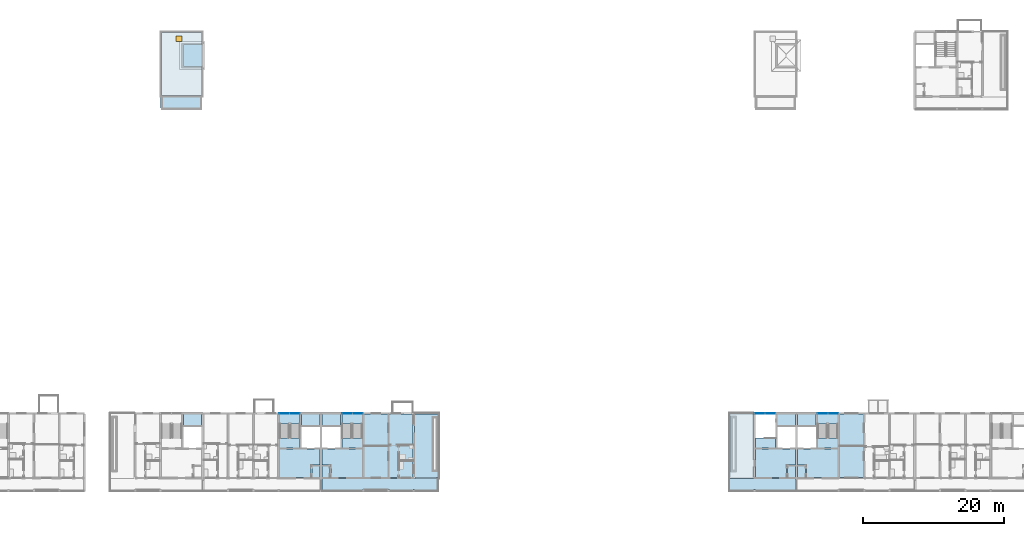
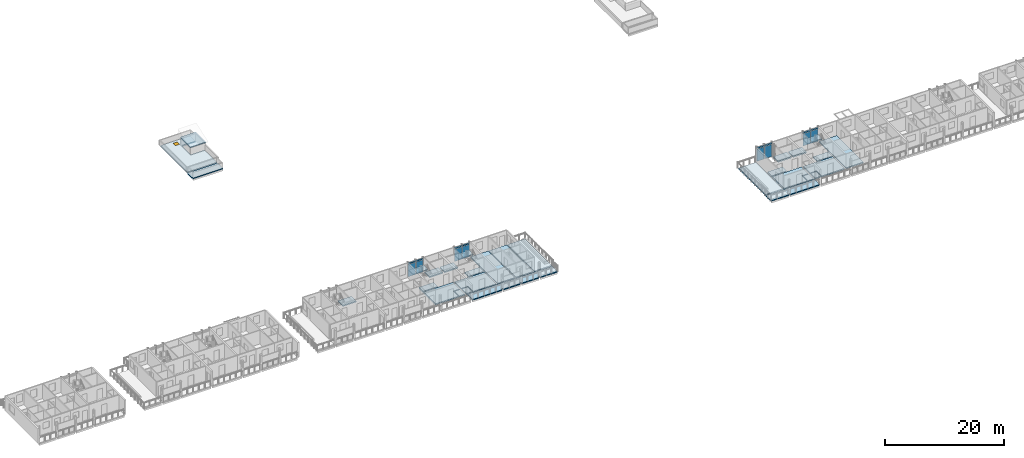
# One storey, part 20 of 64: 30 slabs, 16 plates, 1 door, 1 opening, 7 elements without a shape of their own.
"""IFC4 building model written with IfcOpenShell, lengths in metres."""

from ifc_helpers import new_model, si_unit, direction, frame, origin, origin_2d, place, context, subcontext, project, spatial, polyline, rectangle, outline, extrude, material, layer, layer_set, type_object, element, fill, aggregate, save


model = new_model("IFC4")

# Units and contexts
model_context = context("Model", 3, precision=1e-05, world=origin(), true_north=direction((0.0, 1.0)))
body_context = subcontext(model_context, "Body", "Model", "MODEL_VIEW")
ifc_project = project(units=[si_unit("LENGTHUNIT", "METRE"), si_unit("AREAUNIT", "SQUARE_METRE"), si_unit("VOLUMEUNIT", "CUBIC_METRE"), si_unit("PLANEANGLEUNIT", "RADIAN"), si_unit("MASSUNIT", "GRAM", prefix="KILO")], contexts=[model_context])

# Site, building, storey
site_placement = place(None, origin())
site = spatial("IfcSite", under=ifc_project, at=site_placement, CompositionType="ELEMENT")
building_placement = place(site_placement, origin())
building = spatial("IfcBuilding", under=site, at=building_placement, Name="Ridgestep Commons", CompositionType="ELEMENT")
storey_placement = place(building_placement, frame((0.0, 0.0, 33.0)))
storey = spatial("IfcBuildingStorey", under=building, at=storey_placement, Name="L11", CompositionType="ELEMENT", Elevation=33.0)

# Slabs
ifc_material_1 = material(Name="Precast concrete C40/50", Category="concrete")
ifc_layer_1 = layer(ifc_material_1, 0.199951171875)
ifc_layer_set_1 = layer_set([ifc_layer_1], Name="Gallery roof slab 200")
slab_type_1 = type_object("IfcSlabType", Name="Gallery roof slab 200", PredefinedType="ROOF", material=ifc_layer_set_1)
slab_1_placement = place(storey_placement, frame((0.0, 0.0, -0.199951171875)))
element("IfcSlab", 1, at=slab_1_placement, inside=storey, type_object=slab_type_1, Name="Gallery slab B4 L11", PredefinedType="ROOF", context=body_context, shape_type="SweptSolid", body=[
    extrude(outline(polyline([(73.199951171875, 67.800048828125), (73.199951171875, 66.25), (73.324951171875, 66.25), (73.324951171875, 66.0), (79.050048828125, 66.0), (79.050048828125, 67.800048828125), (73.199951171875, 67.800048828125)])), origin(), (0.0, 0.0, 1.0), 0.199951171875),
])
ifc_material_2 = material(Name="Precast concrete C40/50", Category="concrete")
ifc_layer_2 = layer(ifc_material_2, 0.199951171875)
ifc_layer_set_2 = layer_set([ifc_layer_2], Name="Gallery slab 200")
slab_type_2 = type_object("IfcSlabType", Name="Gallery slab 200", PredefinedType="FLOOR", material=ifc_layer_set_2)
slab_2_placement = place(storey_placement, frame((0.0, 0.0, -0.199951171875)))
element("IfcSlab", 2, at=slab_2_placement, inside=storey, type_object=slab_type_2, Name="Gallery slab A6 L11", PredefinedType="FLOOR", context=body_context, shape_type="SweptSolid", body=[
    extrude(outline(polyline([(112.64990234375, 13.550048828125), (96.14990234375, 13.550048828125), (96.14990234375, 11.75), (101.875, 11.75), (101.875, 12.0), (102.125, 12.0), (102.125, 11.75), (105.47509765625, 11.75), (105.47509765625, 12.0), (105.72509765625, 12.0), (105.72509765625, 11.75), (109.074951171875, 11.75), (109.074951171875, 12.0), (109.324951171875, 12.0), (109.324951171875, 11.75), (112.64990234375, 11.75), (112.64990234375, 13.550048828125)])), origin(), (0.0, 0.0, 1.0), 0.199951171875),
])
slab_3_placement = place(storey_placement, frame((0.0, 0.0, -0.199951171875)))
element("IfcSlab", 3, at=slab_3_placement, inside=storey, type_object=slab_type_2, Name="Gallery slab D1 L11", PredefinedType="FLOOR", context=body_context, shape_type="SweptSolid", body=[
    extrude(outline(polyline([(163.449951171875, 13.550048828125), (154.0, 13.550048828125), (154.0, 12.0), (154.125, 12.0), (154.125, 11.75), (157.47509765625, 11.75), (157.47509765625, 12.0), (157.72509765625, 12.0), (157.72509765625, 11.75), (163.449951171875, 11.75), (163.449951171875, 13.550048828125)])), origin(), (0.0, 0.0, 1.0), 0.199951171875),
])

# Curtain wall, plates
ifc_material_3 = material(Name="Aluminium 6063-T6 and glass", Category="aluminium")
curtain_wall_type = type_object("IfcCurtainWallType", Name="Curtain wall stair strip", PredefinedType="NOTDEFINED", material=ifc_material_3)
curtain_wall_1_placement = place(storey_placement, origin())
curtain_wall_1 = element("IfcCurtainWall", 4, at=curtain_wall_1_placement, inside=storey, type_object=curtain_wall_type, Name="Curtain wall A5C level 11", PredefinedType="NOTDEFINED")
ifc_material_4 = material(Name="Glass laminated 6/16/6 low-emissivity", Category="glass")
ifc_layer_3 = layer(ifc_material_4, 0.028076171875)
ifc_layer_set_3 = layer_set([ifc_layer_3], Name="Glazing panel 28")
plate_type_1 = type_object("IfcPlateType", Name="Glazing panel 28", PredefinedType="CURTAIN_PANEL", material=ifc_layer_set_3)
plate_1_placement = place(storey_placement, frame((90.771240234375, 22.830078125, 0.06005859375), z_axis=(0.0, 0.0, 1.0), x_axis=(1.0, 0.0, 0.0)))
plate_1 = element("IfcPlate", 5, at=plate_1_placement, type_object=plate_type_1, Name="CW1 panel 1.1", PredefinedType="CURTAIN_PANEL", context=body_context, shape_type="SweptSolid", body=[
    extrude(rectangle(XDim=1.422607421875, YDim=0.028076171875, at=origin_2d()), origin(), (0.0, 0.0, 1.0), 2.5),
])
plate_2_placement = place(storey_placement, frame((92.253662109375, 22.830078125, 0.06005859375), z_axis=(0.0, 0.0, 1.0), x_axis=(1.0, 0.0, 0.0)))
plate_2 = element("IfcPlate", 6, at=plate_2_placement, type_object=plate_type_1, Name="CW1 panel 2.1", PredefinedType="CURTAIN_PANEL", context=body_context, shape_type="SweptSolid", body=[
    extrude(rectangle(XDim=1.422607421875, YDim=0.028076171875, at=origin_2d()), origin(), (0.0, 0.0, 1.0), 2.5),
])

curtain_wall_2_placement = place(storey_placement, origin())
curtain_wall_2 = element("IfcCurtainWall", 7, at=curtain_wall_2_placement, inside=storey, type_object=curtain_wall_type, Name="Curtain wall A6C level 11", PredefinedType="NOTDEFINED")
plate_3_placement = place(storey_placement, frame((99.746337890625, 22.830078125, 0.06005859375), z_axis=(0.0, 0.0, 1.0), x_axis=(1.0, 0.0, 0.0)))
plate_3 = element("IfcPlate", 8, at=plate_3_placement, type_object=plate_type_1, Name="CW1 panel 1.1", PredefinedType="CURTAIN_PANEL", context=body_context, shape_type="SweptSolid", body=[
    extrude(rectangle(XDim=1.422607421875, YDim=0.028076171875, at=origin_2d()), origin(), (0.0, 0.0, 1.0), 2.5),
])
plate_4_placement = place(storey_placement, frame((101.228759765625, 22.830078125, 0.06005859375), z_axis=(0.0, 0.0, 1.0), x_axis=(1.0, 0.0, 0.0)))
plate_4 = element("IfcPlate", 9, at=plate_4_placement, type_object=plate_type_1, Name="CW1 panel 2.1", PredefinedType="CURTAIN_PANEL", context=body_context, shape_type="SweptSolid", body=[
    extrude(rectangle(XDim=1.422607421875, YDim=0.028076171875, at=origin_2d()), origin(), (0.0, 0.0, 1.0), 2.5),
])

curtain_wall_3_placement = place(storey_placement, origin())
curtain_wall_3 = element("IfcCurtainWall", 10, at=curtain_wall_3_placement, inside=storey, type_object=curtain_wall_type, Name="Curtain wall D1C level 11", PredefinedType="NOTDEFINED")
plate_5_placement = place(storey_placement, frame((158.371337890625, 22.830078125, 0.06005859375), z_axis=(0.0, 0.0, 1.0), x_axis=(1.0, 0.0, 0.0)))
plate_5 = element("IfcPlate", 11, at=plate_5_placement, type_object=plate_type_1, Name="CW1 panel 1.1", PredefinedType="CURTAIN_PANEL", context=body_context, shape_type="SweptSolid", body=[
    extrude(rectangle(XDim=1.422607421875, YDim=0.028076171875, at=origin_2d()), origin(), (0.0, 0.0, 1.0), 2.5),
])
plate_6_placement = place(storey_placement, frame((159.853759765625, 22.830078125, 0.06005859375), z_axis=(0.0, 0.0, 1.0), x_axis=(1.0, 0.0, 0.0)))
plate_6 = element("IfcPlate", 12, at=plate_6_placement, type_object=plate_type_1, Name="CW1 panel 2.1", PredefinedType="CURTAIN_PANEL", context=body_context, shape_type="SweptSolid", body=[
    extrude(rectangle(XDim=1.422607421875, YDim=0.028076171875, at=origin_2d()), origin(), (0.0, 0.0, 1.0), 2.5),
])

curtain_wall_4_placement = place(storey_placement, origin())
curtain_wall_4 = element("IfcCurtainWall", 13, at=curtain_wall_4_placement, inside=storey, type_object=curtain_wall_type, Name="Curtain wall D2C level 11", PredefinedType="NOTDEFINED")
plate_7_placement = place(storey_placement, frame((167.34619140625, 22.830078125, 0.06005859375), z_axis=(0.0, 0.0, 1.0), x_axis=(1.0, 0.0, 0.0)))
plate_7 = element("IfcPlate", 14, at=plate_7_placement, type_object=plate_type_1, Name="CW1 panel 1.1", PredefinedType="CURTAIN_PANEL", context=body_context, shape_type="SweptSolid", body=[
    extrude(rectangle(XDim=1.422607421875, YDim=0.028076171875, at=origin_2d()), origin(), (0.0, 0.0, 1.0), 2.5),
])
plate_8_placement = place(storey_placement, frame((168.828857421875, 22.830078125, 0.06005859375), z_axis=(0.0, 0.0, 1.0), x_axis=(1.0, 0.0, 0.0)))
plate_8 = element("IfcPlate", 15, at=plate_8_placement, type_object=plate_type_1, Name="CW1 panel 2.1", PredefinedType="CURTAIN_PANEL", context=body_context, shape_type="SweptSolid", body=[
    extrude(rectangle(XDim=1.422607421875, YDim=0.028076171875, at=origin_2d()), origin(), (0.0, 0.0, 1.0), 2.5),
])

# Slabs
ifc_material_5 = material(Name="Precast concrete C50/60", Category="concrete")
ifc_layer_4 = layer(ifc_material_5, 0.199951171875)
ifc_layer_set_4 = layer_set([ifc_layer_4], Name="Hollow-core plank 200")
slab_type_3 = type_object("IfcSlabType", Name="Hollow-core plank 200", PredefinedType="FLOOR", material=ifc_layer_set_4)
slab_4_placement = place(storey_placement, frame((0.0, 0.0, -0.199951171875)))
element("IfcSlab", 16, at=slab_4_placement, inside=storey, type_object=slab_type_3, Name="Floor plank A6T3 L11", PredefinedType="FLOOR", context=body_context, shape_type="SweptSolid", body=[
    extrude(outline(polyline([(105.5, 13.75), (105.5, 22.75), (102.125, 22.75), (102.125, 13.75), (105.5, 13.75)])), origin(), (0.0, 0.0, 1.0), 0.199951171875),
])
slab_5_placement = place(storey_placement, frame((0.0, 0.0, -0.199951171875)))
element("IfcSlab", 17, at=slab_5_placement, inside=storey, type_object=slab_type_3, Name="Floor plank A6T2 L11", PredefinedType="FLOOR", context=body_context, shape_type="SweptSolid", body=[
    extrude(outline(polyline([(109.10009765625, 13.75), (109.10009765625, 22.75), (105.699951171875, 22.75), (105.699951171875, 13.75), (109.10009765625, 13.75)])), origin(), (0.0, 0.0, 1.0), 0.199951171875),
])
slab_6_placement = place(storey_placement, frame((0.0, 0.0, -0.199951171875)))
element("IfcSlab", 18, at=slab_6_placement, inside=storey, type_object=slab_type_3, Name="Floor plank D2T3 L11", PredefinedType="FLOOR", context=body_context, shape_type="SweptSolid", body=[
    extrude(outline(polyline([(173.10009765625, 13.75), (173.10009765625, 22.75), (169.72509765625, 22.75), (169.72509765625, 13.75), (173.10009765625, 13.75)])), origin(), (0.0, 0.0, 1.0), 0.199951171875),
])
ifc_material_6 = material(Name="Precast concrete C50/60", Category="concrete")
ifc_layer_5 = layer(ifc_material_6, 0.25)
ifc_layer_set_5 = layer_set([ifc_layer_5], Name="Hollow-core plank 250")
slab_type_4 = type_object("IfcSlabType", Name="Hollow-core plank 250", PredefinedType="FLOOR", material=ifc_layer_set_5)
slab_7_placement = place(storey_placement, frame((0.0, 0.0, -0.25)))
element("IfcSlab", 19, at=slab_7_placement, inside=storey, type_object=slab_type_4, Name="Floor plank A4C L11", PredefinedType="FLOOR", context=body_context, shape_type="SweptSolid", body=[
    extrude(outline(polyline([(79.050048828125, 21.14990234375), (79.050048828125, 22.75), (76.425048828125, 22.75), (76.425048828125, 21.14990234375), (79.050048828125, 21.14990234375)])), origin(), (0.0, 0.0, 1.0), 0.25),
])
slab_8_placement = place(storey_placement, frame((0.0, 0.0, -0.25)))
element("IfcSlab", 20, at=slab_8_placement, inside=storey, type_object=slab_type_4, Name="Floor plank A5C L11", PredefinedType="FLOOR", context=body_context, shape_type="SweptSolid", body=[
    extrude(outline(polyline([(94.719970703125, 15.469970703125), (95.85009765625, 15.469970703125), (95.85009765625, 17.75), (90.125, 17.75), (90.125, 13.75), (94.60009765625, 13.75), (94.60009765625, 15.469970703125), (94.719970703125, 15.469970703125)])), origin(), (0.0, 0.0, 1.0), 0.25),
])
slab_9_placement = place(storey_placement, frame((0.0, 0.0, -0.25)))
element("IfcSlab", 21, at=slab_9_placement, inside=storey, type_object=slab_type_4, Name="Floor plank A5C L11", PredefinedType="FLOOR", context=body_context, shape_type="SweptSolid", body=[
    extrude(outline(polyline([(95.85009765625, 21.14990234375), (95.85009765625, 22.75), (93.22509765625, 22.75), (93.22509765625, 21.14990234375), (95.85009765625, 21.14990234375)])), origin(), (0.0, 0.0, 1.0), 0.25),
])
slab_10_placement = place(storey_placement, frame((0.0, 0.0, -0.25)))
element("IfcSlab", 22, at=slab_10_placement, inside=storey, type_object=slab_type_4, Name="Floor plank A5C L11", PredefinedType="FLOOR", context=body_context, shape_type="SweptSolid", body=[
    extrude(outline(polyline([(93.02490234375, 17.949951171875), (93.02490234375, 19.35009765625), (90.125, 19.35009765625), (90.125, 17.949951171875), (93.02490234375, 17.949951171875)])), origin(), (0.0, 0.0, 1.0), 0.25),
])
slab_11_placement = place(storey_placement, frame((0.0, 0.0, -0.25)))
element("IfcSlab", 23, at=slab_11_placement, inside=storey, type_object=slab_type_4, Name="Floor plank A5C L11", PredefinedType="FLOOR", context=body_context, shape_type="SweptSolid", body=[
    extrude(outline(polyline([(94.719970703125, 13.75), (95.85009765625, 13.75), (95.85009765625, 15.35009765625), (94.719970703125, 15.35009765625), (94.719970703125, 13.75)])), origin(), (0.0, 0.0, 1.0), 0.25),
])
slab_12_placement = place(storey_placement, frame((0.0, 0.0, -0.25)))
element("IfcSlab", 24, at=slab_12_placement, inside=storey, type_object=slab_type_4, Name="Floor plank A6C L11", PredefinedType="FLOOR", context=body_context, shape_type="SweptSolid", body=[
    extrude(outline(polyline([(97.39990234375, 13.75), (101.875, 13.75), (101.875, 17.75), (96.14990234375, 17.75), (96.14990234375, 15.469970703125), (97.280029296875, 15.469970703125), (97.39990234375, 15.469970703125), (97.39990234375, 13.75)])), origin(), (0.0, 0.0, 1.0), 0.25),
])
slab_13_placement = place(storey_placement, frame((0.0, 0.0, -0.25)))
element("IfcSlab", 25, at=slab_13_placement, inside=storey, type_object=slab_type_4, Name="Floor plank A6C L11", PredefinedType="FLOOR", context=body_context, shape_type="SweptSolid", body=[
    extrude(outline(polyline([(98.77490234375, 22.75), (96.14990234375, 22.75), (96.14990234375, 21.14990234375), (98.77490234375, 21.14990234375), (98.77490234375, 22.75)])), origin(), (0.0, 0.0, 1.0), 0.25),
])
slab_14_placement = place(storey_placement, frame((0.0, 0.0, -0.25)))
element("IfcSlab", 26, at=slab_14_placement, inside=storey, type_object=slab_type_4, Name="Floor plank A6C L11", PredefinedType="FLOOR", context=body_context, shape_type="SweptSolid", body=[
    extrude(outline(polyline([(101.875, 17.949951171875), (101.875, 19.35009765625), (98.97509765625, 19.35009765625), (98.97509765625, 17.949951171875), (101.875, 17.949951171875)])), origin(), (0.0, 0.0, 1.0), 0.25),
])
slab_15_placement = place(storey_placement, frame((0.0, 0.0, -0.25)))
element("IfcSlab", 27, at=slab_15_placement, inside=storey, type_object=slab_type_4, Name="Floor plank A6C L11", PredefinedType="FLOOR", context=body_context, shape_type="SweptSolid", body=[
    extrude(outline(polyline([(97.280029296875, 15.35009765625), (96.14990234375, 15.35009765625), (96.14990234375, 13.75), (97.280029296875, 13.75), (97.280029296875, 15.35009765625)])), origin(), (0.0, 0.0, 1.0), 0.25),
])
slab_16_placement = place(storey_placement, frame((0.0, 0.0, -0.25)))
element("IfcSlab", 28, at=slab_16_placement, inside=storey, type_object=slab_type_4, Name="Floor plank D1C L11", PredefinedType="FLOOR", context=body_context, shape_type="SweptSolid", body=[
    extrude(outline(polyline([(162.320068359375, 15.469970703125), (163.449951171875, 15.469970703125), (163.449951171875, 17.75), (157.72509765625, 17.75), (157.72509765625, 13.75), (162.199951171875, 13.75), (162.199951171875, 15.469970703125), (162.320068359375, 15.469970703125)])), origin(), (0.0, 0.0, 1.0), 0.25),
])
slab_17_placement = place(storey_placement, frame((0.0, 0.0, -0.25)))
element("IfcSlab", 29, at=slab_17_placement, inside=storey, type_object=slab_type_4, Name="Floor plank D1C L11", PredefinedType="FLOOR", context=body_context, shape_type="SweptSolid", body=[
    extrude(outline(polyline([(163.449951171875, 21.14990234375), (163.449951171875, 22.75), (160.824951171875, 22.75), (160.824951171875, 21.14990234375), (163.449951171875, 21.14990234375)])), origin(), (0.0, 0.0, 1.0), 0.25),
])
slab_18_placement = place(storey_placement, frame((0.0, 0.0, -0.25)))
element("IfcSlab", 30, at=slab_18_placement, inside=storey, type_object=slab_type_4, Name="Floor plank D1C L11", PredefinedType="FLOOR", context=body_context, shape_type="SweptSolid", body=[
    extrude(outline(polyline([(160.625, 17.949951171875), (160.625, 19.35009765625), (157.72509765625, 19.35009765625), (157.72509765625, 17.949951171875), (160.625, 17.949951171875)])), origin(), (0.0, 0.0, 1.0), 0.25),
])
slab_19_placement = place(storey_placement, frame((0.0, 0.0, -0.25)))
element("IfcSlab", 31, at=slab_19_placement, inside=storey, type_object=slab_type_4, Name="Floor plank D1C L11", PredefinedType="FLOOR", context=body_context, shape_type="SweptSolid", body=[
    extrude(outline(polyline([(162.320068359375, 13.75), (163.449951171875, 13.75), (163.449951171875, 15.35009765625), (162.320068359375, 15.35009765625), (162.320068359375, 13.75)])), origin(), (0.0, 0.0, 1.0), 0.25),
])
slab_20_placement = place(storey_placement, frame((0.0, 0.0, -0.25)))
element("IfcSlab", 32, at=slab_20_placement, inside=storey, type_object=slab_type_4, Name="Floor plank D2C L11", PredefinedType="FLOOR", context=body_context, shape_type="SweptSolid", body=[
    extrude(outline(polyline([(165.0, 13.75), (169.47509765625, 13.75), (169.47509765625, 17.75), (163.75, 17.75), (163.75, 15.469970703125), (164.8798828125, 15.469970703125), (165.0, 15.469970703125), (165.0, 13.75)])), origin(), (0.0, 0.0, 1.0), 0.25),
])
slab_21_placement = place(storey_placement, frame((0.0, 0.0, -0.25)))
element("IfcSlab", 33, at=slab_21_placement, inside=storey, type_object=slab_type_4, Name="Floor plank D2C L11", PredefinedType="FLOOR", context=body_context, shape_type="SweptSolid", body=[
    extrude(outline(polyline([(166.375, 22.75), (163.75, 22.75), (163.75, 21.14990234375), (166.375, 21.14990234375), (166.375, 22.75)])), origin(), (0.0, 0.0, 1.0), 0.25),
])
slab_22_placement = place(storey_placement, frame((0.0, 0.0, -0.25)))
element("IfcSlab", 34, at=slab_22_placement, inside=storey, type_object=slab_type_4, Name="Floor plank D2C L11", PredefinedType="FLOOR", context=body_context, shape_type="SweptSolid", body=[
    extrude(outline(polyline([(169.47509765625, 17.949951171875), (169.47509765625, 19.35009765625), (166.574951171875, 19.35009765625), (166.574951171875, 17.949951171875), (169.47509765625, 17.949951171875)])), origin(), (0.0, 0.0, 1.0), 0.25),
])
slab_23_placement = place(storey_placement, frame((0.0, 0.0, -0.25)))
element("IfcSlab", 35, at=slab_23_placement, inside=storey, type_object=slab_type_4, Name="Floor plank D2C L11", PredefinedType="FLOOR", context=body_context, shape_type="SweptSolid", body=[
    extrude(outline(polyline([(164.8798828125, 15.35009765625), (163.75, 15.35009765625), (163.75, 13.75), (164.8798828125, 13.75), (164.8798828125, 15.35009765625)])), origin(), (0.0, 0.0, 1.0), 0.25),
])
ifc_material_7 = material(Name="Precast concrete C50/60", Category="concrete")
ifc_layer_6 = layer(ifc_material_7, 0.199951171875)
ifc_layer_set_6 = layer_set([ifc_layer_6], Name="Overrun roof 200")
slab_type_5 = type_object("IfcSlabType", Name="Overrun roof 200", PredefinedType="ROOF", material=ifc_layer_set_6)
slab_24_placement = place(storey_placement, frame((0.0, 0.0, 1.5)))
element("IfcSlab", 36, at=slab_24_placement, inside=storey, type_object=slab_type_5, Name="Lift overrun roof B4C", PredefinedType="ROOF", context=body_context, shape_type="SweptSolid", body=[
    extrude(outline(polyline([(79.199951171875, 72.0), (79.199951171875, 75.39990234375), (76.22509765625, 75.39990234375), (76.22509765625, 72.0), (79.199951171875, 72.0)])), origin(), (0.0, 0.0, 1.0), 0.199951171875),
])
ifc_material_8 = material(Name="Precast concrete C50/60", Category="concrete")
ifc_layer_7 = layer(ifc_material_8, 0.25)
ifc_layer_set_7 = layer_set([ifc_layer_7], Name="Roof slab 250")
slab_type_6 = type_object("IfcSlabType", Name="Roof slab 250", PredefinedType="ROOF", material=ifc_layer_set_7)
slab_25_placement = place(storey_placement, frame((0.0, 0.0, -0.25)))
element("IfcSlab", 37, at=slab_25_placement, inside=storey, type_object=slab_type_6, Name="Terrace slab A6T1", PredefinedType="ROOF", context=body_context, shape_type="SweptSolid", body=[
    extrude(outline(polyline([(112.64990234375, 13.75), (112.64990234375, 22.75), (109.300048828125, 22.75), (109.300048828125, 13.75), (112.64990234375, 13.75)])), origin(), (0.0, 0.0, 1.0), 0.25),
])

# Slab, opening, door
slab_26_placement = place(storey_placement, frame((0.0, 0.0, -0.25)))
slab_26 = element("IfcSlab", 38, at=slab_26_placement, inside=storey, type_object=slab_type_6, Name="Roof slab B4C", PredefinedType="ROOF", context=body_context, shape_type="SweptSolid", body=[
    extrude(outline(polyline([(79.050048828125, 68.0), (79.050048828125, 72.199951171875), (76.425048828125, 72.199951171875), (76.425048828125, 75.199951171875), (79.050048828125, 75.199951171875), (79.050048828125, 77.0), (73.324951171875, 77.0), (73.324951171875, 68.0), (79.050048828125, 68.0)])), origin(), (0.0, 0.0, 1.0), 0.25),
])
opening_placement = place(slab_26_placement, frame((75.824951171875, 76.10009765625, 0.0)))
opening = element("IfcOpeningElement", 39, at=opening_placement, cuts=slab_26, Name="Opening B4C/RF/1", PredefinedType="OPENING", context=body_context, shape_type="SweptSolid", body=[
    extrude(rectangle(XDim=0.800048828125, YDim=0.800048828125, at=origin_2d()), origin(), (0.0, 0.0, 1.0), 0.25),
])
ifc_material_9 = material(Name="Steel", Category="steel")
door_type = type_object("IfcDoorType", Name="Ladder roof hatch 800 x 800", OperationType="SINGLE_SWING_LEFT", PredefinedType="TRAPDOOR", material=ifc_material_9)
door_placement = place(opening_placement, frame((0.0, 0.0, 0.199951171875)))
door = element("IfcDoor", 40, at=door_placement, inside=storey, type_object=door_type, Name="Roof hatch B4C", OperationType="SINGLE_SWING_LEFT", OverallHeight=0.800048828125, OverallWidth=0.800048828125, PredefinedType="TRAPDOOR", context=body_context, shape_type="SweptSolid", body=[
    extrude(rectangle(XDim=0.800048828125, YDim=0.800048828125, at=origin_2d()), origin(), (0.0, 0.0, 1.0), 0.050048828125),
])
fill(opening, door)

# Slab
slab_27_placement = place(storey_placement, frame((0.0, 0.0, -0.25)))
element("IfcSlab", 41, at=slab_27_placement, inside=storey, type_object=slab_type_6, Name="Terrace slab D1T3", PredefinedType="ROOF", context=body_context, shape_type="SweptSolid", body=[
    extrude(outline(polyline([(157.47509765625, 13.75), (157.47509765625, 22.75), (154.10009765625, 22.75), (154.10009765625, 13.75), (157.47509765625, 13.75)])), origin(), (0.0, 0.0, 1.0), 0.25),
])

# Plate
ifc_material_10 = material(Name="Aluminium 6063-T6 and mineral wool", Category="aluminium")
ifc_layer_8 = layer(ifc_material_10, 0.0400390625)
ifc_layer_set_8 = layer_set([ifc_layer_8], Name="Spandrel panel 40")
plate_type_2 = type_object("IfcPlateType", Name="Spandrel panel 40", PredefinedType="CURTAIN_PANEL", material=ifc_layer_set_8)
plate_9_placement = place(storey_placement, frame((90.771240234375, 22.830078125, 2.6201171875), z_axis=(0.0, 0.0, 1.0), x_axis=(1.0, 0.0, 0.0)))
plate_9 = element("IfcPlate", 42, at=plate_9_placement, type_object=plate_type_2, Name="CW1 panel 1.2", PredefinedType="CURTAIN_PANEL", context=body_context, shape_type="SweptSolid", body=[
    extrude(rectangle(XDim=1.422607421875, YDim=0.0400390625, at=origin_2d()), origin(), (0.0, 0.0, 1.0), 0.320068359375),
])

plate_10_placement = place(storey_placement, frame((92.253662109375, 22.830078125, 2.6201171875), z_axis=(0.0, 0.0, 1.0), x_axis=(1.0, 0.0, 0.0)))
plate_10 = element("IfcPlate", 43, at=plate_10_placement, type_object=plate_type_2, Name="CW1 panel 2.2", PredefinedType="CURTAIN_PANEL", context=body_context, shape_type="SweptSolid", body=[
    extrude(rectangle(XDim=1.422607421875, YDim=0.0400390625, at=origin_2d()), origin(), (0.0, 0.0, 1.0), 0.320068359375),
])

aggregate(curtain_wall_1, [plate_1, plate_9, plate_2, plate_10])

plate_11_placement = place(storey_placement, frame((99.746337890625, 22.830078125, 2.6201171875), z_axis=(0.0, 0.0, 1.0), x_axis=(1.0, 0.0, 0.0)))
plate_11 = element("IfcPlate", 44, at=plate_11_placement, type_object=plate_type_2, Name="CW1 panel 1.2", PredefinedType="CURTAIN_PANEL", context=body_context, shape_type="SweptSolid", body=[
    extrude(rectangle(XDim=1.422607421875, YDim=0.0400390625, at=origin_2d()), origin(), (0.0, 0.0, 1.0), 0.320068359375),
])

plate_12_placement = place(storey_placement, frame((101.228759765625, 22.830078125, 2.6201171875), z_axis=(0.0, 0.0, 1.0), x_axis=(1.0, 0.0, 0.0)))
plate_12 = element("IfcPlate", 45, at=plate_12_placement, type_object=plate_type_2, Name="CW1 panel 2.2", PredefinedType="CURTAIN_PANEL", context=body_context, shape_type="SweptSolid", body=[
    extrude(rectangle(XDim=1.422607421875, YDim=0.0400390625, at=origin_2d()), origin(), (0.0, 0.0, 1.0), 0.320068359375),
])

aggregate(curtain_wall_2, [plate_3, plate_11, plate_4, plate_12])

plate_13_placement = place(storey_placement, frame((158.371337890625, 22.830078125, 2.6201171875), z_axis=(0.0, 0.0, 1.0), x_axis=(1.0, 0.0, 0.0)))
plate_13 = element("IfcPlate", 46, at=plate_13_placement, type_object=plate_type_2, Name="CW1 panel 1.2", PredefinedType="CURTAIN_PANEL", context=body_context, shape_type="SweptSolid", body=[
    extrude(rectangle(XDim=1.422607421875, YDim=0.0400390625, at=origin_2d()), origin(), (0.0, 0.0, 1.0), 0.320068359375),
])

plate_14_placement = place(storey_placement, frame((159.853759765625, 22.830078125, 2.6201171875), z_axis=(0.0, 0.0, 1.0), x_axis=(1.0, 0.0, 0.0)))
plate_14 = element("IfcPlate", 47, at=plate_14_placement, type_object=plate_type_2, Name="CW1 panel 2.2", PredefinedType="CURTAIN_PANEL", context=body_context, shape_type="SweptSolid", body=[
    extrude(rectangle(XDim=1.422607421875, YDim=0.0400390625, at=origin_2d()), origin(), (0.0, 0.0, 1.0), 0.320068359375),
])

aggregate(curtain_wall_3, [plate_5, plate_13, plate_6, plate_14])

plate_15_placement = place(storey_placement, frame((167.34619140625, 22.830078125, 2.6201171875), z_axis=(0.0, 0.0, 1.0), x_axis=(1.0, 0.0, 0.0)))
plate_15 = element("IfcPlate", 48, at=plate_15_placement, type_object=plate_type_2, Name="CW1 panel 1.2", PredefinedType="CURTAIN_PANEL", context=body_context, shape_type="SweptSolid", body=[
    extrude(rectangle(XDim=1.422607421875, YDim=0.0400390625, at=origin_2d()), origin(), (0.0, 0.0, 1.0), 0.320068359375),
])

plate_16_placement = place(storey_placement, frame((168.828857421875, 22.830078125, 2.6201171875), z_axis=(0.0, 0.0, 1.0), x_axis=(1.0, 0.0, 0.0)))
plate_16 = element("IfcPlate", 49, at=plate_16_placement, type_object=plate_type_2, Name="CW1 panel 2.2", PredefinedType="CURTAIN_PANEL", context=body_context, shape_type="SweptSolid", body=[
    extrude(rectangle(XDim=1.422607421875, YDim=0.0400390625, at=origin_2d()), origin(), (0.0, 0.0, 1.0), 0.320068359375),
])

aggregate(curtain_wall_4, [plate_7, plate_15, plate_8, plate_16])

# Stair, slab
ifc_material_11 = material(Name="Precast concrete C40/50", Category="concrete")
stair_type = type_object("IfcStairType", Name="Escape stair 1400", PredefinedType="HALF_TURN_STAIR", material=ifc_material_11)
stair_1_placement = place(storey_placement, origin())
stair_1 = element("IfcStair", 50, at=stair_1_placement, inside=storey, type_object=stair_type, Name="L11 Escape stair A5C", PredefinedType="HALF_TURN_STAIR")
ifc_material_12 = material(Name="Precast concrete C40/50", Category="concrete")
ifc_layer_9 = layer(ifc_material_12, 0.199951171875)
ifc_layer_set_9 = layer_set([ifc_layer_9], Name="Stair landing 200")
slab_type_7 = type_object("IfcSlabType", Name="Stair landing 200", PredefinedType="LANDING", material=ifc_layer_set_9)
slab_28_placement = place(storey_placement, frame((0.0, 0.0, 1.300048828125)))
slab_28 = element("IfcSlab", 51, at=slab_28_placement, type_object=slab_type_7, Name="A5C landing 1", PredefinedType="LANDING", context=body_context, shape_type="SweptSolid", body=[
    extrude(outline(polyline([(93.02490234375, 21.31005859375), (93.02490234375, 22.75), (90.125, 22.75), (90.125, 21.31005859375), (93.02490234375, 21.31005859375)])), origin(), (0.0, 0.0, 1.0), 0.199951171875),
])
aggregate(stair_1, [slab_28])

stair_2_placement = place(storey_placement, origin())
stair_2 = element("IfcStair", 52, at=stair_2_placement, inside=storey, type_object=stair_type, Name="L11 Escape stair A6C", PredefinedType="HALF_TURN_STAIR")
slab_29_placement = place(storey_placement, frame((0.0, 0.0, 1.300048828125)))
slab_29 = element("IfcSlab", 53, at=slab_29_placement, type_object=slab_type_7, Name="A6C landing 1", PredefinedType="LANDING", context=body_context, shape_type="SweptSolid", body=[
    extrude(outline(polyline([(101.875, 21.31005859375), (101.875, 22.75), (98.97509765625, 22.75), (98.97509765625, 21.31005859375), (101.875, 21.31005859375)])), origin(), (0.0, 0.0, 1.0), 0.199951171875),
])
aggregate(stair_2, [slab_29])

stair_3_placement = place(storey_placement, origin())
stair_3 = element("IfcStair", 54, at=stair_3_placement, inside=storey, type_object=stair_type, Name="L11 Escape stair D2C", PredefinedType="HALF_TURN_STAIR")
slab_30_placement = place(storey_placement, frame((0.0, 0.0, 1.300048828125)))
slab_30 = element("IfcSlab", 55, at=slab_30_placement, type_object=slab_type_7, Name="D2C landing 1", PredefinedType="LANDING", context=body_context, shape_type="SweptSolid", body=[
    extrude(outline(polyline([(169.47509765625, 21.31005859375), (169.47509765625, 22.75), (166.574951171875, 22.75), (166.574951171875, 21.31005859375), (169.47509765625, 21.31005859375)])), origin(), (0.0, 0.0, 1.0), 0.199951171875),
])
aggregate(stair_3, [slab_30])

save(model, "model.ifc")
